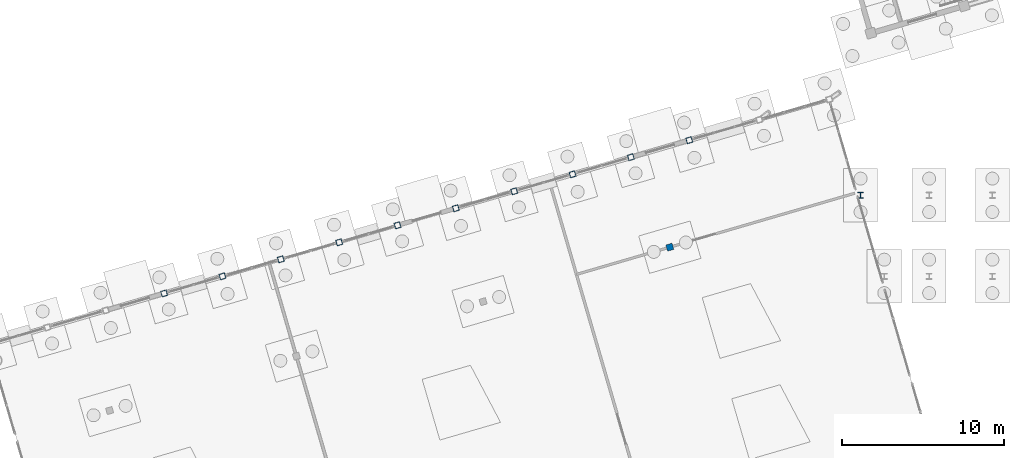
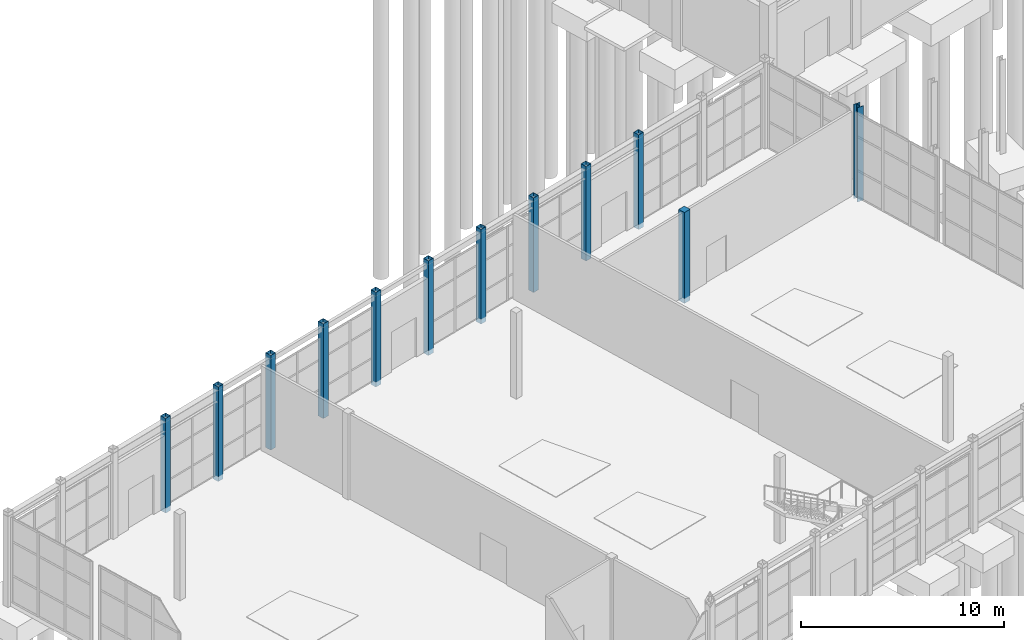
# One storey, part 12 of 90: 12 columns.
"""IFC4 building model written with IfcOpenShell, lengths in metres."""

from ifc_helpers import new_model, si_unit, direction, frame, origin, origin_2d, place, context, subcontext, project, spatial, rectangle, hollow_rectangle, i_section, extrude, material, material_profile, profile_set, type_object, element, save


model = new_model("IFC4")

# Units and contexts
model_context = context("Model", 3, precision=1e-05, world=origin(), true_north=direction((0.0, 1.0)))
body_context = subcontext(model_context, "Body", "Model", "MODEL_VIEW")
ifc_project = project(units=[si_unit("LENGTHUNIT", "METRE"), si_unit("AREAUNIT", "SQUARE_METRE"), si_unit("VOLUMEUNIT", "CUBIC_METRE"), si_unit("PLANEANGLEUNIT", "RADIAN"), si_unit("MASSUNIT", "GRAM", prefix="KILO")], contexts=[model_context])

# Site, building, storey
site_placement = place(None, origin())
site = spatial("IfcSite", under=ifc_project, at=site_placement, CompositionType="ELEMENT")
building_placement = place(site_placement, origin())
building = spatial("IfcBuilding", under=site, at=building_placement, Name="Canggui Botanical Conservatory", CompositionType="ELEMENT")
storey_placement = place(building_placement, origin())
storey = spatial("IfcBuildingStorey", under=building, at=storey_placement, Name="L01", CompositionType="ELEMENT", Elevation=0.0)

# Columns
ifc_material_1 = material(Name="Steel Q355C", Category="steel")
ifc_material_profile_1 = material_profile(ifc_material_1, hollow_rectangle(XDim=0.35009765625, YDim=0.35009765625, WallThickness=0.011962890625, at=origin_2d()), Name="SHS 350x350x12")
ifc_profile_set_1 = profile_set([ifc_material_profile_1], Name="Steel Q355C")
column_type_1 = type_object("IfcColumnType", Name="COL-GZ01", PredefinedType="COLUMN", material=ifc_profile_set_1)
for number, where, z_axis, x_axis, name in (
    (1, (22.39990234375, 73.949951171875, -0.300048828125), (0.0, 0.0, 1.0), (0.960000000041, 0.279999999861, 0.0), "Conservatory Perimeter Steel Column L01 R4-V1"),
    (2, (26.0, 75.0, -0.300048828125), (0.0, 0.0, 1.0), (0.960000000041, 0.279999999861, 0.0), "Conservatory Perimeter Steel Column L01 R5-V1"),
    (3, (29.60009765625, 76.050048828125, -0.300048828125), (0.0, 0.0, 1.0), (0.960000000041, 0.279999999861, 0.0), "Conservatory Perimeter Steel Column L01 R6-V1"),
    (4, (33.199951171875, 77.10009765625, -0.300048828125), (0.0, 0.0, 1.0), (0.960000000041, 0.279999999861, 0.0), "Conservatory Perimeter Steel Column L01 R7-V1"),
    (5, (36.800048828125, 78.14990234375, -0.300048828125), (0.0, 0.0, 1.0), (0.960000000041, 0.279999999861, 0.0), "Conservatory Perimeter Steel Column L01 R8-V1"),
    (6, (40.39990234375, 79.199951171875, -0.300048828125), (0.0, 0.0, 1.0), (0.960000000041, 0.279999999861, 0.0), "Conservatory Perimeter Steel Column L01 R9-V1"),
    (7, (44.0, 80.25, -0.300048828125), (0.0, 0.0, 1.0), (0.960000000041, 0.279999999861, 0.0), "Conservatory Perimeter Steel Column L01 R10-V1"),
    (8, (47.60009765625, 81.300048828125, -0.300048828125), (0.0, 0.0, 1.0), (0.960000000041, 0.279999999861, 0.0), "Conservatory Perimeter Steel Column L01 R11-V1"),
    (9, (51.199951171875, 82.35009765625, -0.300048828125), (0.0, 0.0, 1.0), (0.960000000041, 0.279999999861, 0.0), "Conservatory Perimeter Steel Column L01 R12-V1"),
    (10, (54.800048828125, 83.39990234375, -0.300048828125), (0.0, 0.0, 1.0), (0.960000000041, 0.279999999861, 0.0), "Conservatory Perimeter Steel Column L01 R13-V1"),
):
    element("IfcColumn", number, at=place(storey_placement, frame(where, z_axis=z_axis, x_axis=x_axis)), inside=storey, type_object=column_type_1, Name=name, PredefinedType="COLUMN", context=body_context, shape_type="SweptSolid", body=[
        extrude(hollow_rectangle(XDim=0.35009765625, YDim=0.35009765625, WallThickness=0.011962890625, at=origin_2d()), origin(), (0.0, 0.0, 1.0), 5.699951171875),
    ])
ifc_material_2 = material(Name="Steel Q355B", Category="steel")
ifc_material_profile_2 = material_profile(ifc_material_2, i_section(OverallWidth=0.35009765625, OverallDepth=0.35009765625, WebThickness=0.011962890625, FlangeThickness=0.01904296875, FilletRadius=0.02001953125, at=origin_2d()), Name="HW 350x350x12x19")
ifc_profile_set_2 = profile_set([ifc_material_profile_2], Name="Steel Q355B")
column_type_2 = type_object("IfcColumnType", Name="COL-GZ04", PredefinedType="COLUMN", material=ifc_profile_set_2)
column_1_placement = place(storey_placement, frame((65.3701171875, 80.0, -0.280029296875), z_axis=(0.0, 0.0, 1.0), x_axis=(1.0, 0.0, 0.0)))
element("IfcColumn", 11, at=column_1_placement, inside=storey, type_object=column_type_2, Name="Skybridge Portal Steel Column (65.37,80)", PredefinedType="COLUMN", context=body_context, shape_type="SweptSolid", body=[
    extrude(i_section(OverallWidth=0.35009765625, OverallDepth=0.35009765625, WebThickness=0.011962890625, FlangeThickness=0.01904296875, FilletRadius=0.02001953125, at=origin_2d()), origin(), (0.0, 0.0, 1.0), 5.679931640625),
])
ifc_material_3 = material(Name="Concrete C35", Category="concrete")
ifc_material_profile_3 = material_profile(ifc_material_3, rectangle(XDim=0.39990234375, YDim=0.39990234375, at=origin_2d()), Name="RC 400x400")
ifc_profile_set_3 = profile_set([ifc_material_profile_3], Name="Concrete C35")
column_type_3 = type_object("IfcColumnType", Name="COL-KZ15", PredefinedType="COLUMN", material=ifc_profile_set_3)
column_2_placement = place(storey_placement, frame((53.60009765625, 76.800048828125, -0.300048828125), z_axis=(0.0, 0.0, 1.0), x_axis=(0.960000000041, 0.279999999861, 0.0)))
element("IfcColumn", 12, at=column_2_placement, inside=storey, type_object=column_type_3, Name="Conservatory Skywalk Column 08", PredefinedType="COLUMN", context=body_context, shape_type="SweptSolid", body=[
    extrude(rectangle(XDim=0.39990234375, YDim=0.39990234375, at=origin_2d()), origin(), (0.0, 0.0, 1.0), 5.47998046875),
])

save(model, "model.ifc")
